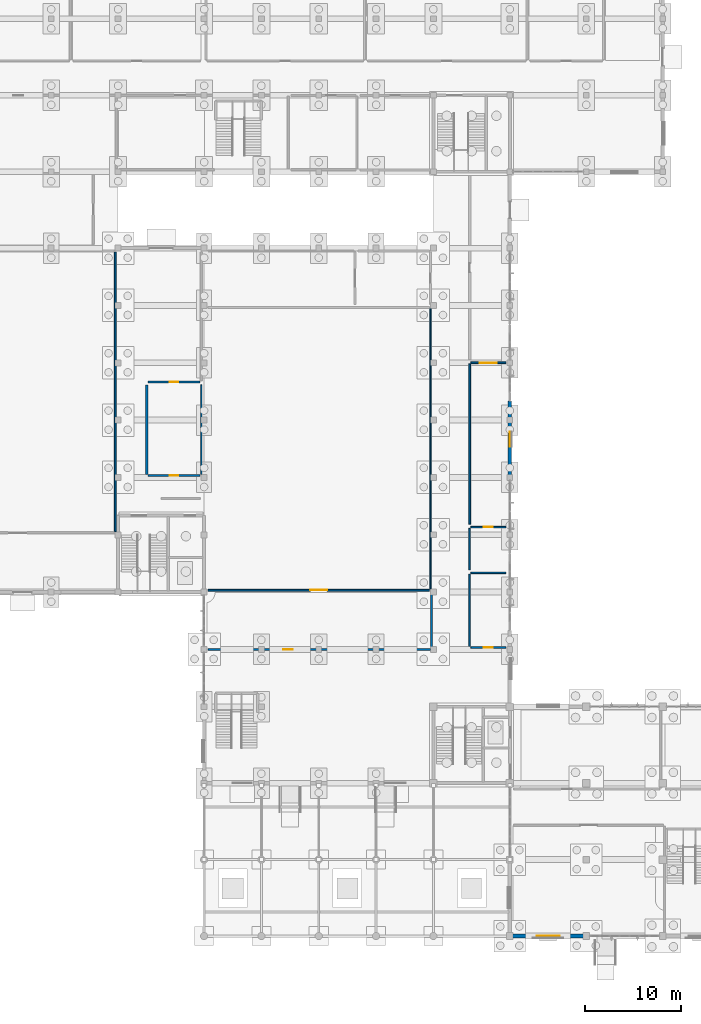
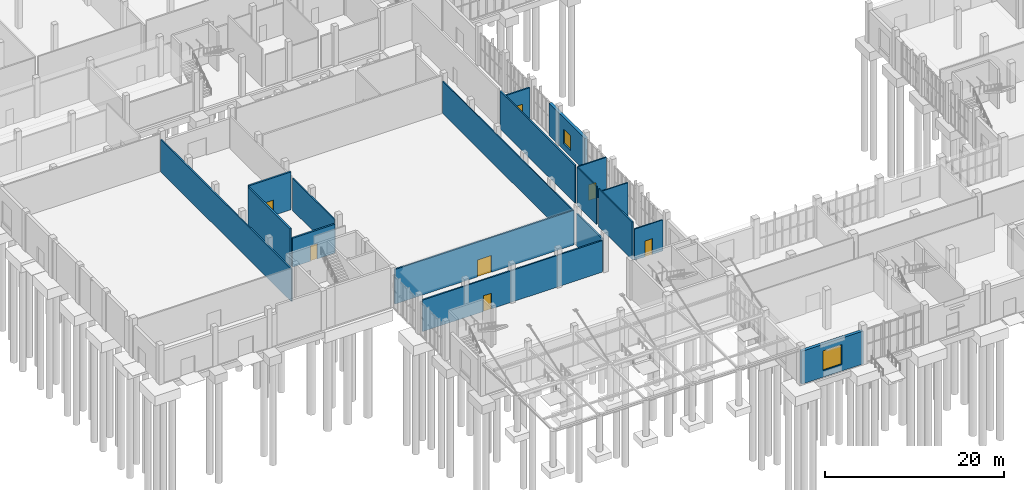
# One storey, part 44 of 69: 18 walls, 7 doors, 2 windows, 9 openings.
"""IFC4 building model written with IfcOpenShell, lengths in metres."""

from ifc_helpers import new_model, si_unit, direction, frame, frame_2d, origin, place, context, subcontext, project, spatial, rectangle, extrude, material, layer, layer_set, type_object, element, fill, save


model = new_model("IFC4")

# Units and contexts
model_context = context("Model", 3, precision=1e-05, world=origin(), true_north=direction((0.0, 1.0)))
body_context = subcontext(model_context, "Body", "Model", "MODEL_VIEW")
ifc_project = project(units=[si_unit("LENGTHUNIT", "METRE"), si_unit("AREAUNIT", "SQUARE_METRE"), si_unit("VOLUMEUNIT", "CUBIC_METRE"), si_unit("PLANEANGLEUNIT", "RADIAN"), si_unit("MASSUNIT", "GRAM", prefix="KILO")], contexts=[model_context])

# Site, building, storey
site_placement = place(None, origin())
site = spatial("IfcSite", under=ifc_project, at=site_placement, CompositionType="ELEMENT")
building_placement = place(site_placement, origin())
building = spatial("IfcBuilding", under=site, at=building_placement, Name="Solvane Community Centre", CompositionType="ELEMENT")
storey_placement = place(building_placement, origin())
storey = spatial("IfcBuildingStorey", under=building, at=storey_placement, Name="L00", CompositionType="ELEMENT", Elevation=0.0)

# Walls
ifc_material_1 = material(Name="Gypsum board partition")
ifc_layer_1 = layer(ifc_material_1, 0.1298828125)
ifc_layer_set_1 = layer_set([ifc_layer_1], Name="Gypsum board partition")
wall_type_1 = type_object("IfcWallType", Name="Acoustic Partition 130mm [294x44dm]", PredefinedType="PARTITIONING", material=ifc_layer_set_1)
wall_1_placement = place(storey_placement, frame((59.699951171875, 42.320068359375, 0.0), z_axis=(0.0, 0.0, 1.0), x_axis=(0.0, 1.0, 0.0)))
element("IfcWall", 1, at=wall_1_placement, inside=storey, type_object=wall_type_1, Name="Interior Wall WL-INT-L00-0166", PredefinedType="PARTITIONING", context=body_context, shape_type="SweptSolid", body=[
    extrude(rectangle(XDim=29.35986328125, YDim=0.1298828125, at=frame_2d((14.679931640625, 0.0))), origin(), (0.0, 0.0, 1.0), 4.425048828125),
])
ifc_layer_2 = layer(ifc_material_1, 0.14990234375)
ifc_layer_set_2 = layer_set([ifc_layer_2], Name="Gypsum board partition")
wall_type_2 = type_object("IfcWallType", Name="Acoustic Partition 150mm [94x44dm]", PredefinedType="PARTITIONING", material=ifc_layer_set_2)
wall_2_placement = place(storey_placement, frame((35.699951171875, 54.320068359375, 0.0), z_axis=(0.0, 0.0, 1.0), x_axis=(0.0, 1.0, 0.0)))
element("IfcWall", 2, at=wall_2_placement, inside=storey, type_object=wall_type_2, Name="Interior Wall WL-INT-L00-0162", PredefinedType="PARTITIONING", context=body_context, shape_type="SweptSolid", body=[
    extrude(rectangle(XDim=9.35986328125, YDim=0.14990234375, at=frame_2d((4.679931640625, 0.0))), origin(), (0.0, 0.0, 1.0), 4.425048828125),
])

# Wall, opening, door
ifc_layer_3 = layer(ifc_material_1, 0.18994140625)
ifc_layer_set_3 = layer_set([ifc_layer_3], Name="Gypsum board partition")
wall_type_3 = type_object("IfcWallType", Name="Acoustic Partition 190mm [232x47dm]", PredefinedType="PARTITIONING", material=ifc_layer_set_3)
wall_3_placement = place(storey_placement, frame((36.419921875, 42.199951171875, 0.0), z_axis=(0.0, 0.0, 1.0), x_axis=(1.0, 0.0, 0.0)))
wall_3 = element("IfcWall", 3, at=wall_3_placement, inside=storey, type_object=wall_type_3, Name="Interior Wall WL-INT-L00-0164", PredefinedType="PARTITIONING", context=body_context, shape_type="SweptSolid", body=[
    extrude(rectangle(XDim=23.16015625, YDim=0.18994140625, at=frame_2d((11.580078125, 0.0))), origin(), (0.0, 0.0, 1.0), 4.72802734375),
])
opening_1_placement = place(wall_3_placement, frame((10.679931640625, 0.0, 0.0)))
opening_1 = element("IfcOpeningElement", 4, at=opening_1_placement, cuts=wall_3, Name="Opening ID02", PredefinedType="OPENING", context=body_context, shape_type="SweptSolid", body=[
    extrude(rectangle(XDim=1.800048828125, YDim=2.300048828125, at=frame_2d((0.89990234375, 1.14990234375))), frame((0.0, 0.10498046875, 0.0), z_axis=(0.0, -1.0, 0.0), x_axis=(1.0, 0.0, 0.0)), (0.0, 0.0, 1.0), 0.2099609375),
])
ifc_material_2 = material(Name="Anodised bronze aluminium AW-6063 T6", Category="aluminium")
door_type_1 = type_object("IfcDoorType", Name="Hall Acoustic Double Door 1800x2300", OperationType="NOTDEFINED", PredefinedType="DOOR", material=ifc_material_2)
door_1_placement = place(opening_1_placement, origin())
door_1 = element("IfcDoor", 5, at=door_1_placement, inside=storey, type_object=door_type_1, Name="L00-D051", OperationType="DOUBLE_DOOR_SINGLE_SWING", OverallHeight=2.300048828125, OverallWidth=1.800048828125, PredefinedType="DOOR", context=body_context, shape_type="SweptSolid", body=[
    extrude(rectangle(XDim=1.800048828125, YDim=2.300048828125, at=frame_2d((0.89990234375, 1.14990234375))), frame((0.0, 0.02490234375, 0.0), z_axis=(0.0, -1.0, 0.0), x_axis=(1.0, 0.0, 0.0)), (0.0, 0.0, 1.0), 0.050048828125),
])
fill(opening_1, door_1)

# Wall, opening, window
ifc_material_3 = material(Name="Terracotta clay masonry", Category="masonry")
ifc_layer_4 = layer(ifc_material_3, 0.3798828125)
ifc_layer_set_4 = layer_set([ifc_layer_4], Name="Terracotta clay masonry")
wall_type_4 = type_object("IfcWallType", Name="Art Deco Terracotta Plinth Wall 380mm [80x44dm]", PredefinedType="SOLIDWALL", material=ifc_layer_set_4)
wall_4_placement = place(storey_placement, frame((68.0, 62.0, 0.0), z_axis=(0.0, 0.0, 1.0), x_axis=(0.0, -1.0, 0.0)))
wall_4 = element("IfcWall", 6, at=wall_4_placement, inside=storey, type_object=wall_type_4, Name="Exterior Wall WL-EXT-L00-0041", PredefinedType="SOLIDWALL", context=body_context, shape_type="SweptSolid", body=[
    extrude(rectangle(XDim=8.0, YDim=0.3798828125, at=frame_2d((4.0, 0.0))), origin(), (0.0, 0.0, 1.0), 4.425048828125),
])
opening_2_placement = place(wall_4_placement, frame((3.199951171875, 0.0, 0.85009765625)))
opening_2 = element("IfcOpeningElement", 7, at=opening_2_placement, cuts=wall_4, Name="Opening WN04", PredefinedType="OPENING", context=body_context, shape_type="SweptSolid", body=[
    extrude(rectangle(XDim=1.60009765625, YDim=2.0, at=frame_2d((0.800048828125, 1.0))), frame((0.0, 0.199951171875, 0.0), z_axis=(0.0, -1.0, 0.0), x_axis=(1.0, 0.0, 0.0)), (0.0, 0.0, 1.0), 0.39990234375),
])
ifc_material_4 = material(Name="Tempered low-E double glazing", Category="glass")
window_type_1 = type_object("IfcWindowType", Name="Nursery Daylight Window 1600x2000", PartitioningType="DOUBLE_PANEL_VERTICAL", PredefinedType="WINDOW", material=ifc_material_4)
window_1_placement = place(opening_2_placement, origin())
window_1 = element("IfcWindow", 8, at=window_1_placement, inside=storey, type_object=window_type_1, Name="L00-W014", OverallHeight=2.0, OverallWidth=1.60009765625, PartitioningType="DOUBLE_PANEL_VERTICAL", PredefinedType="WINDOW", context=body_context, shape_type="SweptSolid", body=[
    extrude(rectangle(XDim=1.60009765625, YDim=2.0, at=frame_2d((0.800048828125, 1.0))), frame((0.0, 0.030029296875, 0.0), z_axis=(0.0, -1.0, 0.0), x_axis=(1.0, 0.0, 0.0)), (0.0, 0.0, 1.0), 0.06005859375),
])
fill(opening_2, window_1)

ifc_layer_5 = layer(ifc_material_3, 0.3798828125)
ifc_layer_set_5 = layer_set([ifc_layer_5], Name="Terracotta clay masonry")
wall_type_5 = type_object("IfcWallType", Name="Art Deco Terracotta Plinth Wall 380mm [80x45dm]", PredefinedType="SOLIDWALL", material=ifc_layer_set_5)
wall_5_placement = place(storey_placement, frame((76.0, 6.0, 0.0), z_axis=(0.0, 0.0, 1.0), x_axis=(-1.0, 0.0, 0.0)))
wall_5 = element("IfcWall", 9, at=wall_5_placement, inside=storey, type_object=wall_type_5, Name="Exterior Wall WL-EXT-L00-0012", PredefinedType="SOLIDWALL", context=body_context, shape_type="SweptSolid", body=[
    extrude(rectangle(XDim=8.0, YDim=0.3798828125, at=frame_2d((4.0, 0.0))), origin(), (0.0, 0.0, 1.0), 4.4951171875),
])
opening_3_placement = place(wall_5_placement, frame((2.800048828125, 0.0, 0.89990234375)))
opening_3 = element("IfcOpeningElement", 10, at=opening_3_placement, cuts=wall_5, Name="Opening WN11", PredefinedType="OPENING", context=body_context, shape_type="SweptSolid", body=[
    extrude(rectangle(XDim=2.39990234375, YDim=2.699951171875, at=frame_2d((1.199951171875, 1.35009765625))), frame((0.0, 0.199951171875, 0.0), z_axis=(0.0, -1.0, 0.0), x_axis=(1.0, 0.0, 0.0)), (0.0, 0.0, 1.0), 0.39990234375),
])
window_type_2 = type_object("IfcWindowType", Name="Boulevard Pier Window 2400x2700", PartitioningType="DOUBLE_PANEL_VERTICAL", PredefinedType="WINDOW", material=ifc_material_4)
window_2_placement = place(opening_3_placement, origin())
window_2 = element("IfcWindow", 11, at=window_2_placement, inside=storey, type_object=window_type_2, Name="L00-W002", OverallHeight=2.699951171875, OverallWidth=2.39990234375, PartitioningType="DOUBLE_PANEL_VERTICAL", PredefinedType="WINDOW", context=body_context, shape_type="SweptSolid", body=[
    extrude(rectangle(XDim=2.39990234375, YDim=2.699951171875, at=frame_2d((1.199951171875, 1.35009765625))), frame((0.0, 0.030029296875, 0.0), z_axis=(0.0, -1.0, 0.0), x_axis=(1.0, 0.0, 0.0)), (0.0, 0.0, 1.0), 0.06005859375),
])
fill(opening_3, window_2)

# Wall, opening, door
ifc_layer_6 = layer(ifc_material_3, 0.219970703125)
ifc_layer_set_6 = layer_set([ifc_layer_6], Name="Terracotta clay masonry")
wall_type_6 = type_object("IfcWallType", Name="Masonry Compartment Wall 220mm [55x39dm]", PredefinedType="SOLIDWALL", material=ifc_layer_set_6)
wall_6_placement = place(storey_placement, frame((30.1201171875, 54.199951171875, 0.0), z_axis=(0.0, 0.0, 1.0), x_axis=(1.0, 0.0, 0.0)))
wall_6 = element("IfcWall", 12, at=wall_6_placement, inside=storey, type_object=wall_type_6, Name="Interior Wall WL-INT-L00-0160", PredefinedType="SOLIDWALL", context=body_context, shape_type="SweptSolid", body=[
    extrude(rectangle(XDim=5.4599609375, YDim=0.219970703125, at=frame_2d((2.72998046875, 0.0))), origin(), (0.0, 0.0, 1.0), 3.945068359375),
])
opening_4_placement = place(wall_6_placement, frame((2.280029296875, 0.0, 0.0)))
opening_4 = element("IfcOpeningElement", 13, at=opening_4_placement, cuts=wall_6, Name="Opening TD01", PredefinedType="OPENING", context=body_context, shape_type="SweptSolid", body=[
    extrude(rectangle(XDim=0.89990234375, YDim=2.10009765625, at=frame_2d((0.449951171875, 1.050048828125))), frame((0.0, 0.119873046875, 0.0), z_axis=(0.0, -1.0, 0.0), x_axis=(1.0, 0.0, 0.0)), (0.0, 0.0, 1.0), 0.239990234375),
])
door_type_2 = type_object("IfcDoorType", Name="Plant & Store Access Trapdoor 900x2100", OperationType="NOTDEFINED", PredefinedType="TRAPDOOR", material=ifc_material_2)
door_2_placement = place(opening_4_placement, origin())
door_2 = element("IfcDoor", 14, at=door_2_placement, inside=storey, type_object=door_type_2, Name="L00-D050", OperationType="SINGLE_SWING_LEFT", OverallHeight=2.10009765625, OverallWidth=0.89990234375, PredefinedType="TRAPDOOR", context=body_context, shape_type="SweptSolid", body=[
    extrude(rectangle(XDim=0.89990234375, YDim=2.10009765625, at=frame_2d((0.449951171875, 1.050048828125))), frame((0.0, 0.02490234375, 0.0), z_axis=(0.0, -1.0, 0.0), x_axis=(1.0, 0.0, 0.0)), (0.0, 0.0, 1.0), 0.050048828125),
])
fill(opening_4, door_2)

ifc_layer_7 = layer(ifc_material_3, 0.219970703125)
ifc_layer_set_7 = layer_set([ifc_layer_7], Name="Terracotta clay masonry")
wall_type_7 = type_object("IfcWallType", Name="Masonry Compartment Wall 220mm [55x52dm]", PredefinedType="SOLIDWALL", material=ifc_layer_set_7)
wall_7_placement = place(storey_placement, frame((30.1201171875, 64.0, 0.0), z_axis=(0.0, 0.0, 1.0), x_axis=(1.0, 0.0, 0.0)))
wall_7 = element("IfcWall", 15, at=wall_7_placement, inside=storey, type_object=wall_type_7, Name="Interior Wall WL-INT-L00-0158", PredefinedType="SOLIDWALL", context=body_context, shape_type="SweptSolid", body=[
    extrude(rectangle(XDim=5.4599609375, YDim=0.219970703125, at=frame_2d((2.72998046875, 0.0))), origin(), (0.0, 0.0, 1.0), 5.159912109375),
])
opening_5_placement = place(wall_7_placement, frame((2.280029296875, 0.0, 0.0)))
opening_5 = element("IfcOpeningElement", 16, at=opening_5_placement, cuts=wall_7, Name="Opening TD01", PredefinedType="OPENING", context=body_context, shape_type="SweptSolid", body=[
    extrude(rectangle(XDim=0.89990234375, YDim=2.10009765625, at=frame_2d((0.449951171875, 1.050048828125))), frame((0.0, 0.119873046875, 0.0), z_axis=(0.0, -1.0, 0.0), x_axis=(1.0, 0.0, 0.0)), (0.0, 0.0, 1.0), 0.239990234375),
])
door_3_placement = place(opening_5_placement, origin())
door_3 = element("IfcDoor", 17, at=door_3_placement, inside=storey, type_object=door_type_2, Name="L00-D049", OperationType="SINGLE_SWING_RIGHT", OverallHeight=2.10009765625, OverallWidth=0.89990234375, PredefinedType="TRAPDOOR", context=body_context, shape_type="SweptSolid", body=[
    extrude(rectangle(XDim=0.89990234375, YDim=2.10009765625, at=frame_2d((0.449951171875, 1.050048828125))), frame((0.0, 0.02490234375, 0.0), z_axis=(0.0, -1.0, 0.0), x_axis=(1.0, 0.0, 0.0)), (0.0, 0.0, 1.0), 0.050048828125),
])
fill(opening_5, door_3)

# Walls
ifc_layer_8 = layer(ifc_material_3, 0.219970703125)
ifc_layer_set_8 = layer_set([ifc_layer_8], Name="Terracotta clay masonry")
wall_type_8 = type_object("IfcWallType", Name="Masonry Compartment Wall 220mm [94x52dm]", PredefinedType="SOLIDWALL", material=ifc_layer_set_8)
wall_8_placement = place(storey_placement, frame((30.0, 63.679931640625, 0.0), z_axis=(0.0, 0.0, 1.0), x_axis=(0.0, -1.0, 0.0)))
element("IfcWall", 18, at=wall_8_placement, inside=storey, type_object=wall_type_8, Name="Interior Wall WL-INT-L00-0161", PredefinedType="SOLIDWALL", context=body_context, shape_type="SweptSolid", body=[
    extrude(rectangle(XDim=9.35986328125, YDim=0.219970703125, at=frame_2d((4.679931640625, 0.0))), origin(), (0.0, 0.0, 1.0), 5.159912109375),
])
ifc_layer_9 = layer(ifc_material_1, 0.179931640625)
ifc_layer_set_9 = layer_set([ifc_layer_9], Name="Gypsum board partition")
wall_type_9 = type_object("IfcWallType", Name="Protected Corridor Wall 180mm [168x52dm]", PredefinedType="PARTITIONING", material=ifc_layer_set_9)
wall_9_placement = place(storey_placement, frame((63.800048828125, 65.8798828125, 0.0), z_axis=(0.0, 0.0, 1.0), x_axis=(0.0, -1.0, 0.0)))
element("IfcWall", 19, at=wall_9_placement, inside=storey, type_object=wall_type_9, Name="Interior Wall WL-INT-L00-0179", PredefinedType="PARTITIONING", context=body_context, shape_type="SweptSolid", body=[
    extrude(rectangle(XDim=16.759765625, YDim=0.179931640625, at=frame_2d((8.3798828125, 0.0))), origin(), (0.0, 0.0, 1.0), 5.159912109375),
])

# Wall, opening, door
ifc_layer_10 = layer(ifc_material_1, 0.179931640625)
ifc_layer_set_10 = layer_set([ifc_layer_10], Name="Gypsum board partition")
wall_type_10 = type_object("IfcWallType", Name="Protected Corridor Wall 180mm [233x43dm]", PredefinedType="PARTITIONING", material=ifc_layer_set_10)
wall_10_placement = place(storey_placement, frame((36.419921875, 36.0, 0.0), z_axis=(0.0, 0.0, 1.0), x_axis=(1.0, 0.0, 0.0)))
wall_10 = element("IfcWall", 20, at=wall_10_placement, inside=storey, type_object=wall_type_10, Name="Interior Wall WL-INT-L00-0171", PredefinedType="PARTITIONING", context=body_context, shape_type="SweptSolid", body=[
    extrude(rectangle(XDim=23.260009765625, YDim=0.179931640625, at=frame_2d((11.6298828125, 0.0))), origin(), (0.0, 0.0, 1.0), 4.31494140625),
])
opening_6_placement = place(wall_10_placement, frame((7.881103515625, 0.0, 0.0)))
opening_6 = element("IfcOpeningElement", 21, at=opening_6_placement, cuts=wall_10, Name="Opening ID01", PredefinedType="OPENING", context=body_context, shape_type="SweptSolid", body=[
    extrude(rectangle(XDim=1.0, YDim=2.14990234375, at=frame_2d((0.5, 1.074951171875))), frame((0.0, 0.099853515625, 0.0), z_axis=(0.0, -1.0, 0.0), x_axis=(1.0, 0.0, 0.0)), (0.0, 0.0, 1.0), 0.199951171875),
])
door_type_3 = type_object("IfcDoorType", Name="Corridor Rated Classroom Door 1000x2150", OperationType="NOTDEFINED", PredefinedType="DOOR", material=ifc_material_2)
door_4_placement = place(opening_6_placement, origin())
door_4 = element("IfcDoor", 22, at=door_4_placement, inside=storey, type_object=door_type_3, Name="L00-D054", OperationType="SINGLE_SWING_LEFT", OverallHeight=2.14990234375, OverallWidth=1.0, PredefinedType="DOOR", context=body_context, shape_type="SweptSolid", body=[
    extrude(rectangle(XDim=1.0, YDim=2.14990234375, at=frame_2d((0.5, 1.074951171875))), frame((0.0, 0.02490234375, 0.0), z_axis=(0.0, -1.0, 0.0), x_axis=(1.0, 0.0, 0.0)), (0.0, 0.0, 1.0), 0.050048828125),
])
fill(opening_6, door_4)

# Wall
ifc_layer_11 = layer(ifc_material_1, 0.179931640625)
ifc_layer_set_11 = layer_set([ifc_layer_11], Name="Gypsum board partition")
wall_type_11 = type_object("IfcWallType", Name="Protected Corridor Wall 180mm [293x44dm]", PredefinedType="PARTITIONING", material=ifc_layer_set_11)
wall_11_placement = place(storey_placement, frame((26.699951171875, 48.320068359375, 0.0), z_axis=(0.0, 0.0, 1.0), x_axis=(0.0, 1.0, 0.0)))
element("IfcWall", 23, at=wall_11_placement, inside=storey, type_object=wall_type_11, Name="Interior Wall WL-INT-L00-0157", PredefinedType="PARTITIONING", context=body_context, shape_type="SweptSolid", body=[
    extrude(rectangle(XDim=29.260009765625, YDim=0.179931640625, at=frame_2d((14.6298828125, 0.0))), origin(), (0.0, 0.0, 1.0), 4.425048828125),
])

# Wall, opening, door
ifc_layer_12 = layer(ifc_material_1, 0.179931640625)
ifc_layer_set_12 = layer_set([ifc_layer_12], Name="Gypsum board partition")
wall_type_12 = type_object("IfcWallType", Name="Protected Corridor Wall 180mm [37x42dm]", PredefinedType="PARTITIONING", material=ifc_layer_set_12)
wall_12_placement = place(storey_placement, frame((67.580078125, 66.0, 0.0), z_axis=(0.0, 0.0, 1.0), x_axis=(-1.0, 0.0, 0.0)))
wall_12 = element("IfcWall", 24, at=wall_12_placement, inside=storey, type_object=wall_type_12, Name="Interior Wall WL-INT-L00-0178", PredefinedType="PARTITIONING", context=body_context, shape_type="SweptSolid", body=[
    extrude(rectangle(XDim=3.66015625, YDim=0.179931640625, at=frame_2d((1.830078125, 0.0))), origin(), (0.0, 0.0, 1.0), 4.2451171875),
])
opening_7_placement = place(wall_12_placement, frame((0.929931640625, 0.0, 0.0)))
opening_7 = element("IfcOpeningElement", 25, at=opening_7_placement, cuts=wall_12, Name="Opening ID02", PredefinedType="OPENING", context=body_context, shape_type="SweptSolid", body=[
    extrude(rectangle(XDim=1.800048828125, YDim=2.300048828125, at=frame_2d((0.89990234375, 1.14990234375))), frame((0.0, 0.099853515625, 0.0), z_axis=(0.0, -1.0, 0.0), x_axis=(1.0, 0.0, 0.0)), (0.0, 0.0, 1.0), 0.199951171875),
])
door_5_placement = place(opening_7_placement, origin())
door_5 = element("IfcDoor", 26, at=door_5_placement, inside=storey, type_object=door_type_1, Name="L00-D057", OperationType="DOUBLE_DOOR_SINGLE_SWING", OverallHeight=2.300048828125, OverallWidth=1.800048828125, PredefinedType="DOOR", context=body_context, shape_type="SweptSolid", body=[
    extrude(rectangle(XDim=1.800048828125, YDim=2.300048828125, at=frame_2d((0.89990234375, 1.14990234375))), frame((0.0, 0.02490234375, 0.0), z_axis=(0.0, -1.0, 0.0), x_axis=(1.0, 0.0, 0.0)), (0.0, 0.0, 1.0), 0.050048828125),
])
fill(opening_7, door_5)

# Wall
ifc_layer_13 = layer(ifc_material_1, 0.179931640625)
ifc_layer_set_13 = layer_set([ifc_layer_13], Name="Gypsum board partition")
wall_type_13 = type_object("IfcWallType", Name="Protected Corridor Wall 180mm [58x44dm]", PredefinedType="PARTITIONING", material=ifc_layer_set_13)
wall_13_placement = place(storey_placement, frame((59.800048828125, 36.1201171875, 0.0), z_axis=(0.0, 0.0, 1.0), x_axis=(0.0, 1.0, 0.0)))
element("IfcWall", 27, at=wall_13_placement, inside=storey, type_object=wall_type_13, Name="Interior Wall WL-INT-L00-0172", PredefinedType="PARTITIONING", context=body_context, shape_type="SweptSolid", body=[
    extrude(rectangle(XDim=5.759765625, YDim=0.179931640625, at=frame_2d((2.8798828125, 0.0))), origin(), (0.0, 0.0, 1.0), 4.425048828125),
])

# Wall, opening, door
ifc_layer_14 = layer(ifc_material_1, 0.159912109375)
ifc_layer_set_14 = layer_set([ifc_layer_14], Name="Gypsum board partition")
wall_type_14 = type_object("IfcWallType", Name="Sanitary Plumbing Chase Wall 160mm [37x42dm]", PredefinedType="PLUMBINGWALL", material=ifc_layer_set_14)
wall_14_placement = place(storey_placement, frame((63.919921875, 36.199951171875, 0.0), z_axis=(0.0, 0.0, 1.0), x_axis=(1.0, 0.0, 0.0)))
wall_14 = element("IfcWall", 28, at=wall_14_placement, inside=storey, type_object=wall_type_14, Name="Interior Wall WL-INT-L00-0173", PredefinedType="PLUMBINGWALL", context=body_context, shape_type="SweptSolid", body=[
    extrude(rectangle(XDim=3.66015625, YDim=0.159912109375, at=frame_2d((1.830078125, 0.0))), origin(), (0.0, 0.0, 1.0), 4.2451171875),
])
opening_8_placement = place(wall_14_placement, frame((1.35498046875, 0.0, 0.0)))
opening_8 = element("IfcOpeningElement", 29, at=opening_8_placement, cuts=wall_14, Name="Opening ID03", PredefinedType="OPENING", context=body_context, shape_type="SweptSolid", body=[
    extrude(rectangle(XDim=0.949951171875, YDim=2.14990234375, at=frame_2d((0.47509765625, 1.074951171875))), frame((0.0, 0.08984375, 0.0), z_axis=(0.0, -1.0, 0.0), x_axis=(1.0, 0.0, 0.0)), (0.0, 0.0, 1.0), 0.179931640625),
])
door_type_4 = type_object("IfcDoorType", Name="Accessible Sanitary Door 950x2150", OperationType="NOTDEFINED", PredefinedType="DOOR", material=ifc_material_2)
door_6_placement = place(opening_8_placement, origin())
door_6 = element("IfcDoor", 30, at=door_6_placement, inside=storey, type_object=door_type_4, Name="L00-D055", OperationType="SINGLE_SWING_RIGHT", OverallHeight=2.14990234375, OverallWidth=0.949951171875, PredefinedType="DOOR", context=body_context, shape_type="SweptSolid", body=[
    extrude(rectangle(XDim=0.949951171875, YDim=2.14990234375, at=frame_2d((0.47509765625, 1.074951171875))), frame((0.0, 0.02490234375, 0.0), z_axis=(0.0, -1.0, 0.0), x_axis=(1.0, 0.0, 0.0)), (0.0, 0.0, 1.0), 0.050048828125),
])
fill(opening_8, door_6)

# Wall
ifc_layer_15 = layer(ifc_material_1, 0.159912109375)
ifc_layer_set_15 = layer_set([ifc_layer_15], Name="Gypsum board partition")
wall_type_15 = type_object("IfcWallType", Name="Sanitary Plumbing Chase Wall 160mm [37x46dm]", PredefinedType="PLUMBINGWALL", material=ifc_layer_set_15)
wall_15_placement = place(storey_placement, frame((67.580078125, 44.0, 0.0), z_axis=(0.0, 0.0, 1.0), x_axis=(-1.0, 0.0, 0.0)))
element("IfcWall", 31, at=wall_15_placement, inside=storey, type_object=wall_type_15, Name="Interior Wall WL-INT-L00-0174", PredefinedType="PLUMBINGWALL", context=body_context, shape_type="SweptSolid", body=[
    extrude(rectangle(XDim=3.66015625, YDim=0.159912109375, at=frame_2d((1.830078125, 0.0))), origin(), (0.0, 0.0, 1.0), 4.594970703125),
])

# Wall, opening, door
ifc_layer_16 = layer(ifc_material_1, 0.159912109375)
ifc_layer_set_16 = layer_set([ifc_layer_16], Name="Gypsum board partition")
wall_type_16 = type_object("IfcWallType", Name="Sanitary Plumbing Chase Wall 160mm [37x52dm]", PredefinedType="PLUMBINGWALL", material=ifc_layer_set_16)
wall_16_placement = place(storey_placement, frame((67.580078125, 48.800048828125, 0.0), z_axis=(0.0, 0.0, 1.0), x_axis=(-1.0, 0.0, 0.0)))
wall_16 = element("IfcWall", 32, at=wall_16_placement, inside=storey, type_object=wall_type_16, Name="Interior Wall WL-INT-L00-0176", PredefinedType="PLUMBINGWALL", context=body_context, shape_type="SweptSolid", body=[
    extrude(rectangle(XDim=3.66015625, YDim=0.159912109375, at=frame_2d((1.830078125, 0.0))), origin(), (0.0, 0.0, 1.0), 5.159912109375),
])
opening_9_placement = place(wall_16_placement, frame((1.35498046875, 0.0, 0.0)))
opening_9 = element("IfcOpeningElement", 33, at=opening_9_placement, cuts=wall_16, Name="Opening ID03", PredefinedType="OPENING", context=body_context, shape_type="SweptSolid", body=[
    extrude(rectangle(XDim=0.949951171875, YDim=2.14990234375, at=frame_2d((0.47509765625, 1.074951171875))), frame((0.0, 0.08984375, 0.0), z_axis=(0.0, -1.0, 0.0), x_axis=(1.0, 0.0, 0.0)), (0.0, 0.0, 1.0), 0.179931640625),
])
door_7_placement = place(opening_9_placement, origin())
door_7 = element("IfcDoor", 34, at=door_7_placement, inside=storey, type_object=door_type_4, Name="L00-D056", OperationType="SINGLE_SWING_LEFT", OverallHeight=2.14990234375, OverallWidth=0.949951171875, PredefinedType="DOOR", context=body_context, shape_type="SweptSolid", body=[
    extrude(rectangle(XDim=0.949951171875, YDim=2.14990234375, at=frame_2d((0.47509765625, 1.074951171875))), frame((0.0, 0.02490234375, 0.0), z_axis=(0.0, -1.0, 0.0), x_axis=(1.0, 0.0, 0.0)), (0.0, 0.0, 1.0), 0.050048828125),
])
fill(opening_9, door_7)

# Walls
ifc_layer_17 = layer(ifc_material_1, 0.159912109375)
ifc_layer_set_17 = layer_set([ifc_layer_17], Name="Gypsum board partition")
wall_type_17 = type_object("IfcWallType", Name="Sanitary Plumbing Chase Wall 160mm [44x52dm]", PredefinedType="PLUMBINGWALL", material=ifc_layer_set_17)
wall_17_placement = place(storey_placement, frame((63.800048828125, 48.679931640625, 0.0), z_axis=(0.0, 0.0, 1.0), x_axis=(0.0, -1.0, 0.0)))
element("IfcWall", 35, at=wall_17_placement, inside=storey, type_object=wall_type_17, Name="Interior Wall WL-INT-L00-0177", PredefinedType="PLUMBINGWALL", context=body_context, shape_type="SweptSolid", body=[
    extrude(rectangle(XDim=4.35986328125, YDim=0.159912109375, at=frame_2d((2.179931640625, 0.0))), origin(), (0.0, 0.0, 1.0), 5.159912109375),
])
ifc_layer_18 = layer(ifc_material_1, 0.159912109375)
ifc_layer_set_18 = layer_set([ifc_layer_18], Name="Gypsum board partition")
wall_type_18 = type_object("IfcWallType", Name="Sanitary Plumbing Chase Wall 160mm [76x52dm]", PredefinedType="PLUMBINGWALL", material=ifc_layer_set_18)
wall_18_placement = place(storey_placement, frame((63.800048828125, 43.8798828125, 0.0), z_axis=(0.0, 0.0, 1.0), x_axis=(0.0, -1.0, 0.0)))
element("IfcWall", 36, at=wall_18_placement, inside=storey, type_object=wall_type_18, Name="Interior Wall WL-INT-L00-0175", PredefinedType="PLUMBINGWALL", context=body_context, shape_type="SweptSolid", body=[
    extrude(rectangle(XDim=7.559814453125, YDim=0.159912109375, at=frame_2d((3.77978515625, 0.0))), origin(), (0.0, 0.0, 1.0), 5.159912109375),
])

save(model, "model.ifc")
